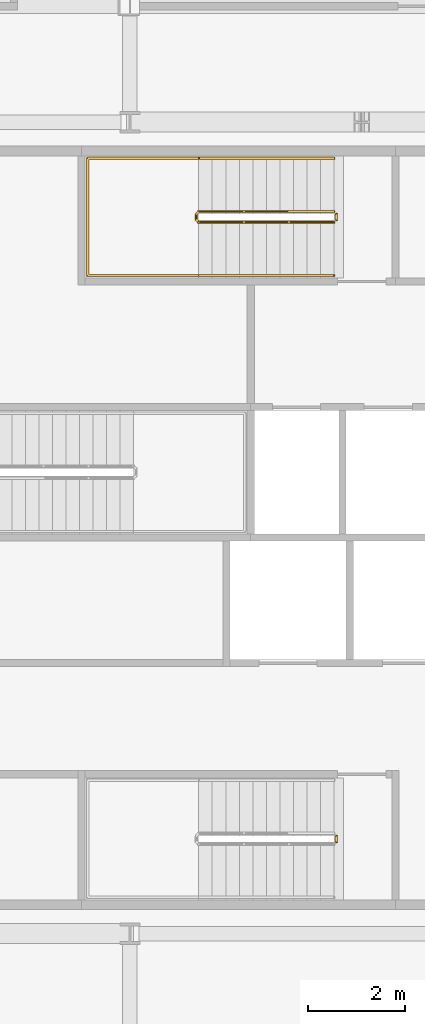
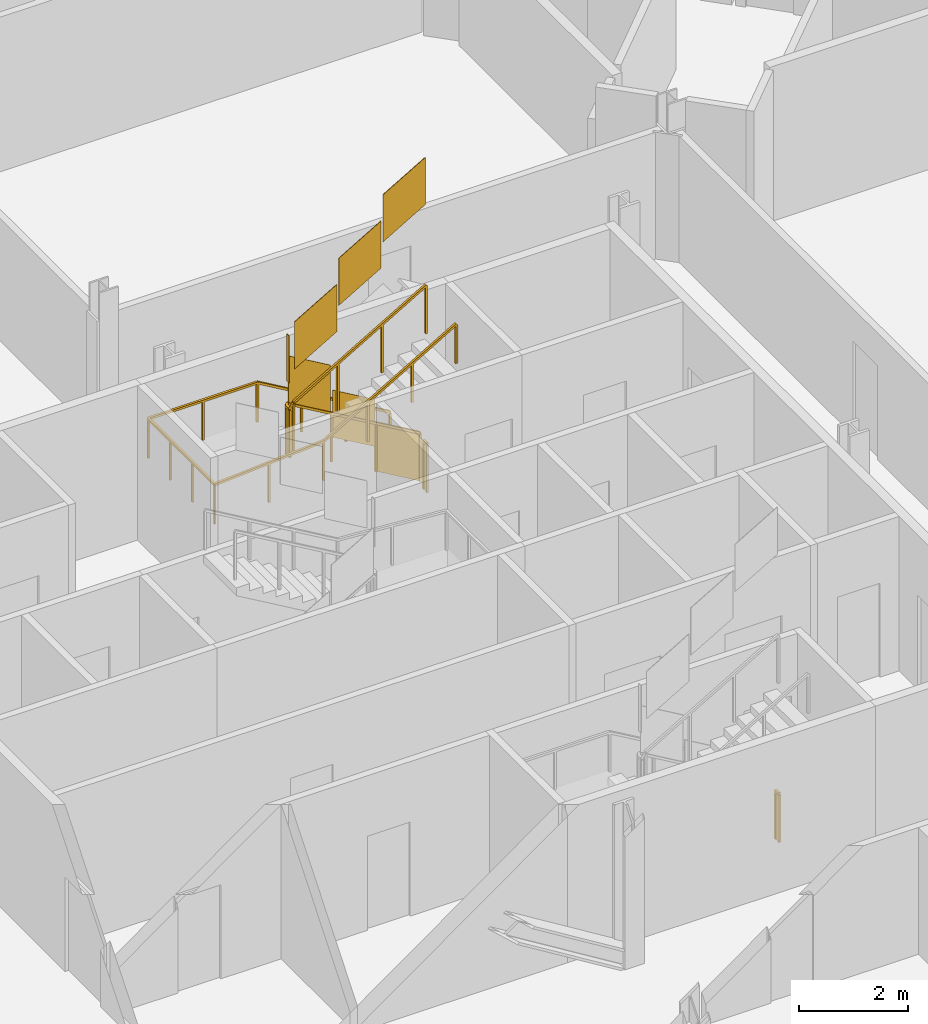
# One storey, part 19 of 21: 4 railings.
"""IFC4 building model written with IfcOpenShell, lengths in metres."""

from ifc_helpers import new_model, si_unit, direction, frame, origin, origin_2d, place, context, subcontext, project, spatial, polyline, rectangle, outline, extrude, material, type_object, element, save


model = new_model("IFC4")

# Units and contexts
model_context = context("Model", 3, precision=1e-05, world=origin(), true_north=direction((0.0, 1.0)))
body_context = subcontext(model_context, "Body", "Model", "MODEL_VIEW")
ifc_project = project(units=[si_unit("LENGTHUNIT", "METRE"), si_unit("AREAUNIT", "SQUARE_METRE"), si_unit("VOLUMEUNIT", "CUBIC_METRE"), si_unit("PLANEANGLEUNIT", "RADIAN"), si_unit("MASSUNIT", "GRAM", prefix="KILO")], contexts=[model_context])

# Site, building, storey
site_placement = place(None, origin())
site = spatial("IfcSite", under=ifc_project, at=site_placement, CompositionType="ELEMENT")
building_placement = place(site_placement, origin())
building = spatial("IfcBuilding", under=site, at=building_placement, Name="Cairn Pilgrim Tower", CompositionType="ELEMENT")
storey_placement = place(building_placement, frame((0.0, 0.0, 172.199951171875)))
storey = spatial("IfcBuildingStorey", under=building, at=storey_placement, Name="L43", CompositionType="ELEMENT", Elevation=172.199951171875)

# Railings
ifc_material = material(Name="Painted steel", Category="steel")
railing_type_1 = type_object("IfcRailingType", Name="STAIR GUARD 1100", PredefinedType="GUARDRAIL", material=ifc_material)
railing_1_placement = place(storey_placement, frame((11.47509765625, -3.97509765625, 0.0)))
element("IfcRailing", 1, at=railing_1_placement, inside=storey, type_object=railing_type_1, Name="L43 ST-A stair guard 2", PredefinedType="GUARDRAIL", context=body_context, shape_type="SweptSolid", body=[
    extrude(rectangle(XDim=0.048095703125, YDim=0.048095703125, at=origin_2d()), frame((0.0, 0.0, 1.076171875), z_axis=(0.0, -1.0, 0.0), x_axis=(1.0, 0.0, 0.0)), (0.0, 0.0, 1.0), 0.125),
    extrude(rectangle(XDim=0.0419921875, YDim=0.0419921875, at=origin_2d()), origin(), (0.0, 0.0, 1.0), 1.052001953125),
    extrude(rectangle(XDim=0.0419921875, YDim=0.0419921875, at=origin_2d()), frame((0.0, -0.125, 0.0)), (0.0, 0.0, 1.0), 1.052001953125),
    extrude(outline(polyline([(0.02099609375, 0.0), (0.10400390625, 0.0), (0.10400390625, 1.052001953125), (0.02099609375, 1.052001953125), (0.02099609375, 0.0)])), frame((0.005859375, 0.0, 0.0), z_axis=(-1.0, 0.0, 0.0), x_axis=(0.0, -1.0, 0.0)), (0.0, 0.0, 1.0), 0.011962890625),
])
railing_2_placement = place(storey_placement, frame((11.425048828125, 8.949951171875, 0.16357421875)))
element("IfcRailing", 2, at=railing_2_placement, inside=storey, type_object=railing_type_1, Name="L43 ST-C stair guard 1", PredefinedType="GUARDRAIL", context=body_context, shape_type="SweptSolid", body=[
    extrude(rectangle(XDim=0.048095703125, YDim=0.048095703125, at=origin_2d()), frame((0.0, 0.0, 1.076171875), z_axis=(-0.863360870873, 0.0, 0.504586966384), x_axis=(0.0, -1.0, 0.0)), (0.0, 0.0, 1.0), 3.2431640625),
    extrude(rectangle(XDim=0.048095703125, YDim=0.048095703125, at=origin_2d()), frame((-2.800048828125, 0.0, 2.71240234375), z_axis=(-0.707106781187, -0.707106781187, 0.0), x_axis=(0.707106781187, -0.707106781187, 0.0)), (0.0, 0.0, 1.0), 0.07080078125),
    extrude(rectangle(XDim=0.048095703125, YDim=0.048095703125, at=origin_2d()), frame((-2.85009765625, -0.050048828125, 2.71240234375), z_axis=(0.0, -1.0, 0.0), x_axis=(1.0, 0.0, 0.0)), (0.0, 0.0, 1.0), 0.125),
    extrude(rectangle(XDim=0.048095703125, YDim=0.048095703125, at=origin_2d()), frame((-2.85009765625, -0.175048828125, 2.71240234375), z_axis=(0.280916556609, -0.279546231943, 0.91811752648), x_axis=(0.705375805398, 0.708833529934, 0.0)), (0.0, 0.0, 1.0), 0.17822265625),
    extrude(rectangle(XDim=0.048095703125, YDim=0.048095703125, at=origin_2d()), frame((-2.800048828125, -0.224853515625, 2.8759765625), z_axis=(0.863360870873, 0.0, 0.504586966384), x_axis=(0.0, 1.0, 0.0)), (0.0, 0.0, 1.0), 3.2431640625),
    extrude(rectangle(XDim=0.0419921875, YDim=0.0419921875, at=origin_2d()), origin(), (0.0, 0.0, 1.0), 1.052001953125),
    extrude(rectangle(XDim=0.0419921875, YDim=0.0419921875, at=origin_2d()), frame((-0.933349609375, 0.0, 0.54541015625)), (0.0, 0.0, 1.0), 1.052001953125),
    extrude(rectangle(XDim=0.0419921875, YDim=0.0419921875, at=origin_2d()), frame((-1.86669921875, 0.0, 1.091064453125)), (0.0, 0.0, 1.0), 1.052001953125),
    extrude(rectangle(XDim=0.0419921875, YDim=0.0419921875, at=origin_2d()), frame((-2.800048828125, 0.0, 1.636474609375)), (0.0, 0.0, 1.0), 1.052001953125),
    extrude(rectangle(XDim=0.0419921875, YDim=0.0419921875, at=origin_2d()), frame((-2.85009765625, -0.050048828125, 1.636474609375)), (0.0, 0.0, 1.0), 1.052001953125),
    extrude(rectangle(XDim=0.0419921875, YDim=0.0419921875, at=origin_2d()), frame((-2.85009765625, -0.175048828125, 1.636474609375)), (0.0, 0.0, 1.0), 1.052001953125),
    extrude(rectangle(XDim=0.0419921875, YDim=0.0419921875, at=origin_2d()), frame((-2.800048828125, -0.224853515625, 1.800048828125)), (0.0, 0.0, 1.0), 1.052001953125),
    extrude(rectangle(XDim=0.0419921875, YDim=0.0419921875, at=origin_2d()), frame((-1.86669921875, -0.224853515625, 2.345458984375)), (0.0, 0.0, 1.0), 1.052001953125),
    extrude(rectangle(XDim=0.0419921875, YDim=0.0419921875, at=origin_2d()), frame((-0.933349609375, -0.224853515625, 2.89111328125)), (0.0, 0.0, 1.0), 1.052001953125),
    extrude(rectangle(XDim=0.0419921875, YDim=0.0419921875, at=origin_2d()), frame((0.0, -0.224853515625, 3.4365234375)), (0.0, 0.0, 1.0), 1.052001953125),
    extrude(outline(polyline([(0.02099609375, 0.01220703125), (0.912353515625, 0.533203125), (0.912353515625, 1.585205078125), (0.02099609375, 1.064208984375), (0.02099609375, 0.01220703125)])), frame((0.0, -0.005859375, 0.0), z_axis=(0.0, 1.0, 0.0), x_axis=(-1.0, 0.0, 0.0)), (0.0, 0.0, 1.0), 0.011962890625),
    extrude(outline(polyline([(0.02099609375, 0.557861328125), (0.912353515625, 1.07861328125), (0.912353515625, 2.130615234375), (0.02099609375, 1.60986328125), (0.02099609375, 0.557861328125)])), frame((-0.933349609375, -0.005859375, 0.54541015625), z_axis=(0.0, 1.0, 0.0), x_axis=(-1.0, 0.0, 0.0)), (0.0, 0.0, 1.0), 0.011962890625),
    extrude(outline(polyline([(0.02099609375, 1.103271484375), (0.912353515625, 1.624267578125), (0.912353515625, 2.67626953125), (0.02099609375, 2.1552734375), (0.02099609375, 1.103271484375)])), frame((-1.86669921875, -0.005859375, 1.091064453125), z_axis=(0.0, 1.0, 0.0), x_axis=(-1.0, 0.0, 0.0)), (0.0, 0.0, 1.0), 0.011962890625),
    extrude(outline(polyline([(0.02099609375, 1.636474609375), (0.10400390625, 1.636474609375), (0.10400390625, 2.6884765625), (0.02099609375, 2.6884765625), (0.02099609375, 1.636474609375)])), frame((-2.84423828125, -0.050048828125, 1.636474609375), z_axis=(-1.0, 0.0, 0.0), x_axis=(0.0, -1.0, 0.0)), (0.0, 0.0, 1.0), 0.011962890625),
    extrude(outline(polyline([(0.02099609375, 1.812255859375), (0.912353515625, 2.333251953125), (0.912353515625, 3.38525390625), (0.02099609375, 2.8642578125), (0.02099609375, 1.812255859375)])), frame((-2.800048828125, -0.21875, 1.800048828125), z_axis=(0.0, -1.0, 0.0), x_axis=(1.0, 0.0, 0.0)), (0.0, 0.0, 1.0), 0.011962890625),
    extrude(outline(polyline([(0.02099609375, 2.35791015625), (0.912353515625, 2.878662109375), (0.912353515625, 3.9306640625), (0.02099609375, 3.409912109375), (0.02099609375, 2.35791015625)])), frame((-1.86669921875, -0.21875, 2.345458984375), z_axis=(0.0, -1.0, 0.0), x_axis=(1.0, 0.0, 0.0)), (0.0, 0.0, 1.0), 0.011962890625),
    extrude(outline(polyline([(0.02099609375, 2.9033203125), (0.912353515625, 3.42431640625), (0.912353515625, 4.476318359375), (0.02099609375, 3.955322265625), (0.02099609375, 2.9033203125)])), frame((-0.933349609375, -0.21875, 2.89111328125), z_axis=(0.0, -1.0, 0.0), x_axis=(1.0, 0.0, 0.0)), (0.0, 0.0, 1.0), 0.011962890625),
])
railing_3_placement = place(storey_placement, frame((11.47509765625, 8.89990234375, 0.0)))
element("IfcRailing", 3, at=railing_3_placement, inside=storey, type_object=railing_type_1, Name="L43 ST-C stair guard 2", PredefinedType="GUARDRAIL", context=body_context, shape_type="SweptSolid", body=[
    extrude(rectangle(XDim=0.048095703125, YDim=0.048095703125, at=origin_2d()), frame((0.0, 0.0, 1.076171875), z_axis=(0.0, -1.0, 0.0), x_axis=(1.0, 0.0, 0.0)), (0.0, 0.0, 1.0), 0.125),
    extrude(rectangle(XDim=0.0419921875, YDim=0.0419921875, at=origin_2d()), origin(), (0.0, 0.0, 1.0), 1.052001953125),
    extrude(rectangle(XDim=0.0419921875, YDim=0.0419921875, at=origin_2d()), frame((0.0, -0.125, 0.0)), (0.0, 0.0, 1.0), 1.052001953125),
    extrude(outline(polyline([(0.02099609375, 0.0), (0.10400390625, 0.0), (0.10400390625, 1.052001953125), (0.02099609375, 1.052001953125), (0.02099609375, 0.0)])), frame((0.005859375, 0.0, 0.0), z_axis=(-1.0, 0.0, 0.0), x_axis=(0.0, -1.0, 0.0)), (0.0, 0.0, 1.0), 0.011962890625),
])
railing_type_2 = type_object("IfcRailingType", Name="STAIR HANDRAIL 900", PredefinedType="HANDRAIL", material=ifc_material)
railing_4_placement = place(storey_placement, frame((11.425048828125, 10.050048828125, 0.16357421875)))
element("IfcRailing", 4, at=railing_4_placement, inside=storey, type_object=railing_type_2, Name="L43 ST-C stair handrail 1", PredefinedType="HANDRAIL", context=body_context, shape_type="SweptSolid", body=[
    extrude(rectangle(XDim=0.048095703125, YDim=0.048095703125, at=origin_2d()), frame((0.0, 0.0, 0.8759765625), z_axis=(-0.863360870873, 0.0, 0.504586966384), x_axis=(0.0, -1.0, 0.0)), (0.0, 0.0, 1.0), 3.2431640625),
    extrude(rectangle(XDim=0.048095703125, YDim=0.048095703125, at=origin_2d()), frame((-2.800048828125, 0.0, 2.51220703125), z_axis=(-1.0, 0.0, 0.0), x_axis=(0.0, -1.0, 0.0)), (0.0, 0.0, 1.0), 2.300048828125),
    extrude(rectangle(XDim=0.048095703125, YDim=0.048095703125, at=origin_2d()), frame((-5.10009765625, 0.0, 2.51220703125), z_axis=(0.0, -1.0, 0.0), x_axis=(1.0, 0.0, 0.0)), (0.0, 0.0, 1.0), 2.425048828125),
    extrude(rectangle(XDim=0.048095703125, YDim=0.048095703125, at=origin_2d()), frame((-5.10009765625, -2.425048828125, 2.51220703125), z_axis=(0.997480687736, 0.0, 0.070938548008), x_axis=(0.0, 1.0, 0.0)), (0.0, 0.0, 1.0), 2.305908203125),
    extrude(rectangle(XDim=0.048095703125, YDim=0.048095703125, at=origin_2d()), frame((-2.800048828125, -2.425048828125, 2.67578125), z_axis=(0.863360870873, 0.0, 0.504586966384), x_axis=(0.0, 1.0, 0.0)), (0.0, 0.0, 1.0), 3.2431640625),
    extrude(rectangle(XDim=0.0419921875, YDim=0.0419921875, at=origin_2d()), origin(), (0.0, 0.0, 1.0), 0.851806640625),
    extrude(rectangle(XDim=0.0419921875, YDim=0.0419921875, at=origin_2d()), frame((-0.933349609375, 0.0, 0.54541015625)), (0.0, 0.0, 1.0), 0.851806640625),
    extrude(rectangle(XDim=0.0419921875, YDim=0.0419921875, at=origin_2d()), frame((-1.86669921875, 0.0, 1.091064453125)), (0.0, 0.0, 1.0), 0.851806640625),
    extrude(rectangle(XDim=0.0419921875, YDim=0.0419921875, at=origin_2d()), frame((-2.800048828125, 0.0, 1.636474609375)), (0.0, 0.0, 1.0), 0.851806640625),
    extrude(rectangle(XDim=0.0419921875, YDim=0.0419921875, at=origin_2d()), frame((-3.9501953125, 0.0, 1.636474609375)), (0.0, 0.0, 1.0), 0.851806640625),
    extrude(rectangle(XDim=0.0419921875, YDim=0.0419921875, at=origin_2d()), frame((-5.10009765625, 0.0, 1.636474609375)), (0.0, 0.0, 1.0), 0.851806640625),
    extrude(rectangle(XDim=0.0419921875, YDim=0.0419921875, at=origin_2d()), frame((-5.10009765625, -0.808349609375, 1.636474609375)), (0.0, 0.0, 1.0), 0.851806640625),
    extrude(rectangle(XDim=0.0419921875, YDim=0.0419921875, at=origin_2d()), frame((-5.10009765625, -1.61669921875, 1.636474609375)), (0.0, 0.0, 1.0), 0.851806640625),
    extrude(rectangle(XDim=0.0419921875, YDim=0.0419921875, at=origin_2d()), frame((-5.10009765625, -2.425048828125, 1.636474609375)), (0.0, 0.0, 1.0), 0.851806640625),
    extrude(rectangle(XDim=0.0419921875, YDim=0.0419921875, at=origin_2d()), frame((-3.9501953125, -2.425048828125, 1.71826171875)), (0.0, 0.0, 1.0), 0.851806640625),
    extrude(rectangle(XDim=0.0419921875, YDim=0.0419921875, at=origin_2d()), frame((-2.800048828125, -2.425048828125, 1.800048828125)), (0.0, 0.0, 1.0), 0.851806640625),
    extrude(rectangle(XDim=0.0419921875, YDim=0.0419921875, at=origin_2d()), frame((-1.86669921875, -2.425048828125, 2.345458984375)), (0.0, 0.0, 1.0), 0.851806640625),
    extrude(rectangle(XDim=0.0419921875, YDim=0.0419921875, at=origin_2d()), frame((-0.933349609375, -2.425048828125, 2.89111328125)), (0.0, 0.0, 1.0), 0.851806640625),
    extrude(rectangle(XDim=0.0419921875, YDim=0.0419921875, at=origin_2d()), frame((0.0, -2.425048828125, 3.4365234375)), (0.0, 0.0, 1.0), 0.851806640625),
])

save(model, "model.ifc")
